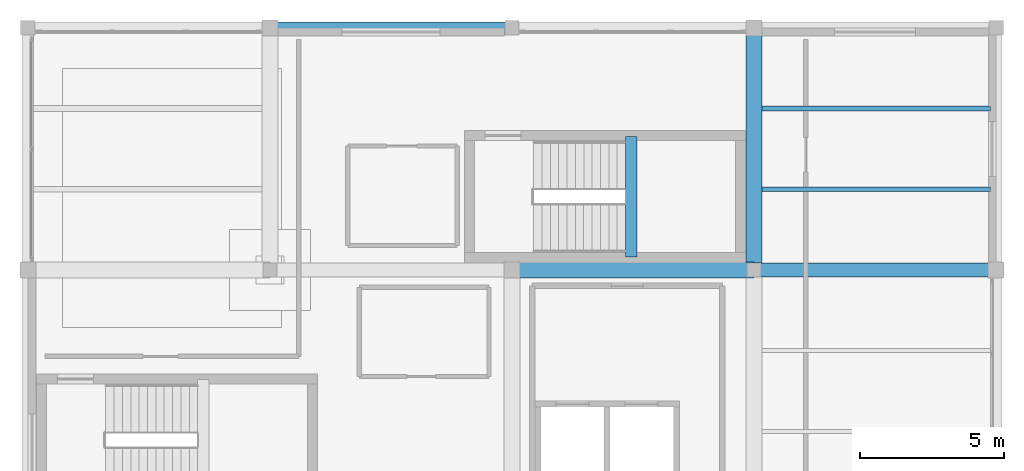
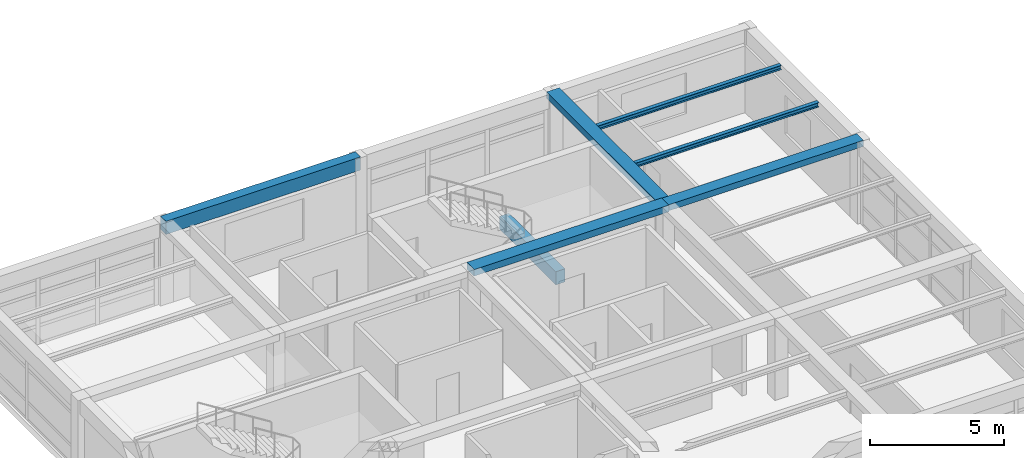
# One storey, part 12 of 20: 7 beams.
"""IFC4 building model written with IfcOpenShell, lengths in metres."""

from ifc_helpers import new_model, si_unit, direction, frame, origin, origin_2d, place, context, subcontext, project, spatial, rectangle, i_section, extrude, material, material_profile, profile_set, type_object, element, save


model = new_model("IFC4")

# Units and contexts
model_context = context("Model", 3, precision=1e-05, world=origin(), true_north=direction((0.0, 1.0)))
body_context = subcontext(model_context, "Body", "Model", "MODEL_VIEW")
ifc_project = project(units=[si_unit("LENGTHUNIT", "METRE"), si_unit("AREAUNIT", "SQUARE_METRE"), si_unit("VOLUMEUNIT", "CUBIC_METRE"), si_unit("PLANEANGLEUNIT", "RADIAN"), si_unit("MASSUNIT", "GRAM", prefix="KILO")], contexts=[model_context])

# Site, building, storey
site_placement = place(None, origin())
site = spatial("IfcSite", under=ifc_project, at=site_placement, CompositionType="ELEMENT")
building_placement = place(site_placement, origin())
building = spatial("IfcBuilding", under=site, at=building_placement, Name="Almacenes y Pasaje Nevantli", CompositionType="ELEMENT")
storey_placement = place(building_placement, frame((0.0, 0.0, 62.699951171875)))
storey = spatial("IfcBuildingStorey", under=building, at=storey_placement, Name="L15", CompositionType="ELEMENT", Elevation=62.699951171875)

# Beams
ifc_material_1 = material(Name="Concrete C35/45", Category="concrete")
ifc_material_profile_1 = material_profile(ifc_material_1, rectangle(XDim=0.39990234375, YDim=0.60009765625, at=origin_2d()), Name="RC-BM-400x600")
ifc_profile_set_1 = profile_set([ifc_material_profile_1], Name="Concrete C35/45")
beam_type_1 = type_object("IfcBeamType", Name="BM-RC-400x600", PredefinedType="SPANDREL", material=ifc_profile_set_1)
beam_1_placement = place(storey_placement, frame((126.0, 92.39990234375, 3.420166015625), z_axis=(1.0, 0.0, 0.0), x_axis=(0.0, 1.0, 0.0)))
element("IfcBeam", 1, at=beam_1_placement, inside=storey, type_object=beam_type_1, Name="L15 East-West Reinforced Concrete Beam #4027", PredefinedType="SPANDREL", context=body_context, shape_type="SweptSolid", body=[
    extrude(rectangle(XDim=0.39990234375, YDim=0.60009765625, at=origin_2d()), origin(), (0.0, 0.0, 1.0), 8.39990234375),
])
beam_2_placement = place(storey_placement, frame((138.5400390625, 84.449951171875, 1.5), z_axis=(0.0, 1.0, 0.0), x_axis=(-1.0, 0.0, 0.0)))
element("IfcBeam", 2, at=beam_2_placement, inside=storey, type_object=beam_type_1, Name="L15 Stair ST-02 Half-Landing Support Beam", PredefinedType="SPANDREL", context=body_context, shape_type="SweptSolid", body=[
    extrude(rectangle(XDim=0.39990234375, YDim=0.60009765625, at=origin_2d()), origin(), (0.0, 0.0, 1.0), 4.18994140625),
])
ifc_material_2 = material(Name="Concrete C35/45", Category="concrete")
ifc_material_profile_2 = material_profile(ifc_material_2, rectangle(XDim=0.5, YDim=0.280029296875, at=origin_2d()), Name="RC-BM-500x280")
ifc_profile_set_2 = profile_set([ifc_material_profile_2], Name="Concrete C35/45")
beam_type_2 = type_object("IfcBeamType", Name="BM-RC-500x280", PredefinedType="BEAM", material=ifc_profile_set_2)
beam_3_placement = place(storey_placement, frame((142.800048828125, 84.0, 3.580078125), z_axis=(1.0, 0.0, 0.0), x_axis=(0.0, 1.0, 0.0)))
element("IfcBeam", 3, at=beam_3_placement, inside=storey, type_object=beam_type_2, Name="L15 East-West Reinforced Concrete Beam #4025", PredefinedType="BEAM", context=body_context, shape_type="SweptSolid", body=[
    extrude(rectangle(XDim=0.5, YDim=0.280029296875, at=origin_2d()), origin(), (0.0, 0.0, 1.0), 8.39990234375),
])
ifc_material_3 = material(Name="Concrete C35/45", Category="concrete")
ifc_material_profile_3 = material_profile(ifc_material_3, rectangle(XDim=0.550048828125, YDim=0.300048828125, at=origin_2d()), Name="RC-BM-550x300")
ifc_profile_set_3 = profile_set([ifc_material_profile_3], Name="Concrete C35/45")
beam_type_3 = type_object("IfcBeamType", Name="BM-RC-550x300", PredefinedType="BEAM", material=ifc_profile_set_3)
beam_4_placement = place(storey_placement, frame((134.39990234375, 84.0, 3.570068359375), z_axis=(1.0, 0.0, 0.0), x_axis=(0.0, 1.0, 0.0)))
element("IfcBeam", 4, at=beam_4_placement, inside=storey, type_object=beam_type_3, Name="L15 East-West Reinforced Concrete Beam #4024", PredefinedType="BEAM", context=body_context, shape_type="SweptSolid", body=[
    extrude(rectangle(XDim=0.550048828125, YDim=0.300048828125, at=origin_2d()), origin(), (0.0, 0.0, 1.0), 8.400146484375),
])
beam_5_placement = place(storey_placement, frame((142.800048828125, 84.0, 3.570068359375), z_axis=(0.0, 1.0, 0.0), x_axis=(-1.0, 0.0, 0.0)))
element("IfcBeam", 5, at=beam_5_placement, inside=storey, type_object=beam_type_3, Name="L15 North-South Reinforced Concrete Beam #4039", PredefinedType="BEAM", context=body_context, shape_type="SweptSolid", body=[
    extrude(rectangle(XDim=0.550048828125, YDim=0.300048828125, at=origin_2d()), origin(), (0.0, 0.0, 1.0), 8.39990234375),
])
ifc_material_4 = material(Name="Steel ASTM A992", Category="steel")
ifc_material_profile_4 = material_profile(ifc_material_4, i_section(OverallWidth=0.166015625, OverallDepth=0.205078125, WebThickness=0.007080078125, FlangeThickness=0.01171875, at=origin_2d()), Name="IR 203x41.7")
ifc_profile_set_4 = profile_set([ifc_material_profile_4], Name="Steel ASTM A992")
beam_type_4 = type_object("IfcBeamType", Name="BM-STL-IR-203x41p7", PredefinedType="JOIST", material=ifc_profile_set_4)
for number, where, z_axis, x_axis, name in (
    (6, (143.074951171875, 86.800048828125, 3.609619140625), (1.0, 0.0, 0.0), (0.0, 1.0, 0.0), "L15 Secondary Steel Floor Joist #1611"),
    (7, (143.074951171875, 89.60009765625, 3.609619140625), (1.0, 0.0, 0.0), (0.0, 1.0, 0.0), "L15 Secondary Steel Floor Joist #1612"),
):
    element("IfcBeam", number, at=place(storey_placement, frame(where, z_axis=z_axis, x_axis=x_axis)), inside=storey, type_object=beam_type_4, Name=name, PredefinedType="JOIST", context=body_context, shape_type="SweptSolid", body=[
        extrude(i_section(OverallWidth=0.166015625, OverallDepth=0.205078125, WebThickness=0.007080078125, FlangeThickness=0.01171875, at=origin_2d()), origin(), (0.0, 0.0, 1.0), 7.925048828125),
    ])

save(model, "model.ifc")
